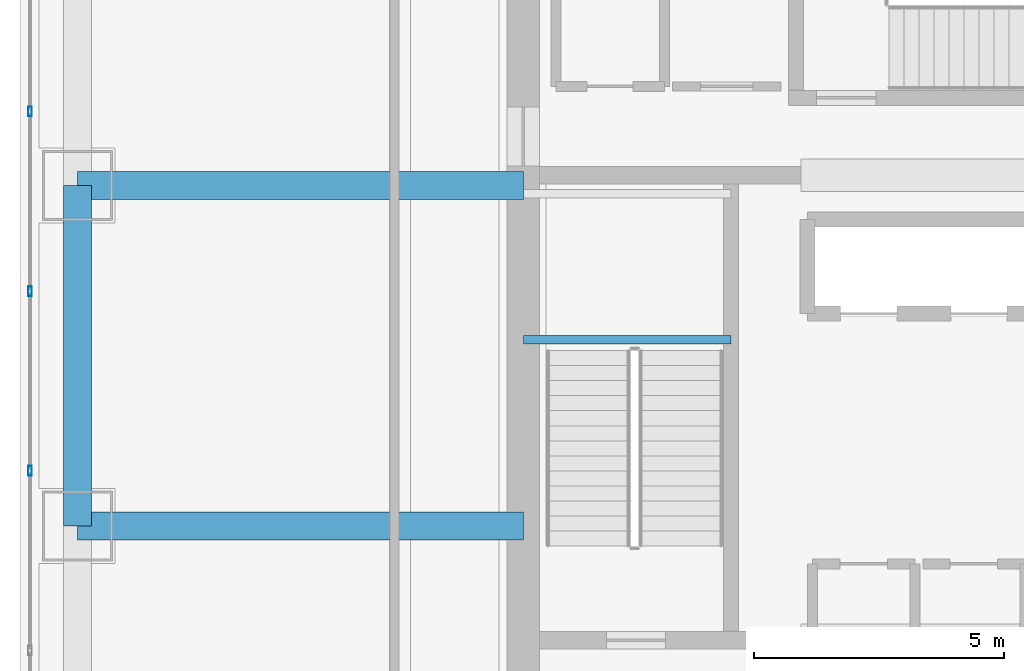
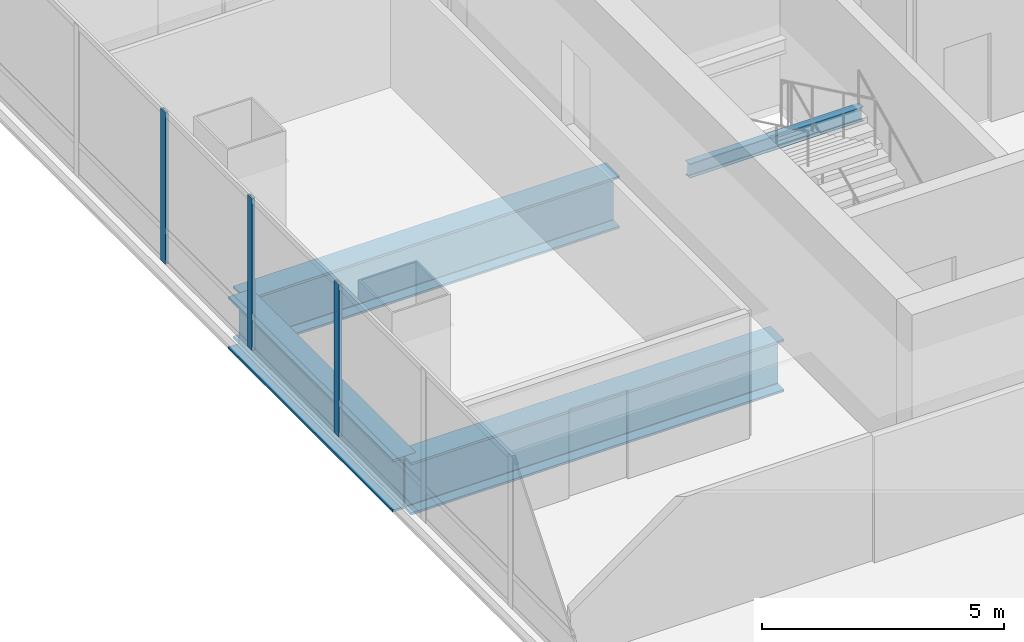
# One storey, part 9 of 41: 4 beams, 3 members, 1 element without a shape of its own.
"""IFC4 building model written with IfcOpenShell, lengths in metres."""

from ifc_helpers import new_model, si_unit, direction, frame, origin, origin_2d, place, context, subcontext, project, spatial, hollow_rectangle, i_section, extrude, material, material_profile, profile_set, type_object, element, aggregate, save


model = new_model("IFC4")

# Units and contexts
model_context = context("Model", 3, precision=1e-05, world=origin(), true_north=direction((0.0, 1.0)))
body_context = subcontext(model_context, "Body", "Model", "MODEL_VIEW")
ifc_project = project(units=[si_unit("LENGTHUNIT", "METRE"), si_unit("AREAUNIT", "SQUARE_METRE"), si_unit("VOLUMEUNIT", "CUBIC_METRE"), si_unit("PLANEANGLEUNIT", "RADIAN"), si_unit("MASSUNIT", "GRAM", prefix="KILO")], contexts=[model_context])

# Site, building, storey
site_placement = place(None, origin())
site = spatial("IfcSite", under=ifc_project, at=site_placement, CompositionType="ELEMENT")
building_placement = place(site_placement, origin())
building = spatial("IfcBuilding", under=site, at=building_placement, Name="Punatoya Terracotta Tower", CompositionType="ELEMENT")
storey_placement = place(building_placement, frame((0.0, 0.0, 220.800048828125)))
storey = spatial("IfcBuildingStorey", under=building, at=storey_placement, Name="L52", CompositionType="ELEMENT", Elevation=220.800048828125)

# Beams
ifc_material_1 = material(Name="Steel S355", Category="steel")
ifc_material_profile_1 = material_profile(ifc_material_1, i_section(OverallWidth=0.169921875, OverallDepth=0.360107421875, WebThickness=0.008056640625, FlangeThickness=0.0126953125, FilletRadius=0.01806640625, at=origin_2d()))
ifc_profile_set_1 = profile_set([ifc_material_profile_1], Name="Steel S355")
beam_type_1 = type_object("IfcBeamType", Name="BM-SEC-360", PredefinedType="JOIST", material=ifc_profile_set_1)
beam_1_placement = place(storey_placement, frame((-10.199951171875, 0.320068359375, 1.64501953125), z_axis=(1.0, 0.0, 0.0), x_axis=(0.0, 1.0, 0.0)))
element("IfcBeam", 1, at=beam_1_placement, inside=storey, type_object=beam_type_1, Name="BM-L52-ST-1-LD1A", PredefinedType="JOIST", context=body_context, shape_type="SweptSolid", body=[
    extrude(i_section(OverallWidth=0.169921875, OverallDepth=0.360107421875, WebThickness=0.008056640625, FlangeThickness=0.0126953125, FilletRadius=0.01806640625, at=origin_2d()), origin(), (0.0, 0.0, 1.0), 4.14990234375),
])
ifc_material_2 = material(Name="Steel S460", Category="steel")
ifc_material_profile_2 = material_profile(ifc_material_2, i_section(OverallWidth=0.56005859375, OverallDepth=1.320068359375, WebThickness=0.035888671875, FlangeThickness=0.054931640625, FilletRadius=0.01806640625, at=origin_2d()))
ifc_profile_set_2 = profile_set([ifc_material_profile_2], Name="Steel S460")
beam_type_2 = type_object("IfcBeamType", Name="BM-TG-BLK", PredefinedType="BEAM", material=ifc_profile_set_2)
beam_2_placement = place(storey_placement, frame((-19.10009765625, -3.39990234375, -0.880126953125), z_axis=(0.0, 1.0, 0.0), x_axis=(-1.0, 0.0, 0.0)))
element("IfcBeam", 2, at=beam_2_placement, inside=storey, type_object=beam_type_2, Name="BM-L52-RG-W2", PredefinedType="BEAM", context=body_context, shape_type="SweptSolid", body=[
    extrude(i_section(OverallWidth=0.56005859375, OverallDepth=1.320068359375, WebThickness=0.035888671875, FlangeThickness=0.054931640625, FilletRadius=0.01806640625, at=origin_2d()), origin(), (0.0, 0.0, 1.0), 6.7998046875),
])
for number, where, z_axis, x_axis, name in (
    (3, (-19.10009765625, -3.39990234375, -0.880126953125), (1.0, 0.0, 0.0), (0.0, 1.0, 0.0), "BM-L52-PR-WD"),
    (4, (-19.10009765625, 3.39990234375, -0.880126953125), (1.0, 0.0, 0.0), (0.0, 1.0, 0.0), "BM-L52-PR-WE"),
):
    element("IfcBeam", number, at=place(storey_placement, frame(where, z_axis=z_axis, x_axis=x_axis)), inside=storey, type_object=beam_type_2, Name=name, PredefinedType="BEAM", context=body_context, shape_type="SweptSolid", body=[
        extrude(i_section(OverallWidth=0.56005859375, OverallDepth=1.320068359375, WebThickness=0.035888671875, FlangeThickness=0.054931640625, FilletRadius=0.01806640625, at=origin_2d()), origin(), (0.0, 0.0, 1.0), 8.900146484375),
    ])

# Curtain wall, members
ifc_material_3 = material(Name="Aluminium 6063-T6 + Double Low-E Glass", Category="aluminium")
curtain_wall_type = type_object("IfcCurtainWallType", Name="CW-M2", PredefinedType="NOTDEFINED", material=ifc_material_3)
curtain_wall_placement = place(storey_placement, origin())
curtain_wall = element("IfcCurtainWall", 5, at=curtain_wall_placement, inside=storey, type_object=curtain_wall_type, Name="L52 Curtain Wall CW-L52-W11-1", PredefinedType="NOTDEFINED")
ifc_material_4 = material(Name="Aluminium 6063-T6", Category="aluminium")
ifc_material_profile_3 = material_profile(ifc_material_4, hollow_rectangle(XDim=0.072021484375, YDim=0.195068359375, WallThickness=0.00439453125, at=origin_2d()))
ifc_profile_set_3 = profile_set([ifc_material_profile_3], Name="Aluminium 6063-T6")
member_type = type_object("IfcMemberType", Name="CW-MUL-M2", PredefinedType="MULLION", material=ifc_profile_set_3)
member_1_placement = place(storey_placement, frame((-20.050048828125, 4.875, 0.0), z_axis=(0.0, 0.0, 1.0), x_axis=(1.0, 0.0, 0.0)))
member_1 = element("IfcMember", 6, at=member_1_placement, type_object=member_type, Name="CW-L52-W11-1 Mullion 02", PredefinedType="MULLION", context=body_context, shape_type="SweptSolid", body=[
    extrude(hollow_rectangle(XDim=0.072021484375, YDim=0.195068359375, WallThickness=0.00439453125, at=origin_2d()), origin(), (0.0, 0.0, 1.0), 3.829833984375),
])
member_2_placement = place(storey_placement, frame((-20.050048828125, 1.28759765625, 0.0), z_axis=(0.0, 0.0, 1.0), x_axis=(1.0, 0.0, 0.0)))
member_2 = element("IfcMember", 7, at=member_2_placement, type_object=member_type, Name="CW-L52-W11-1 Mullion 03", PredefinedType="MULLION", context=body_context, shape_type="SweptSolid", body=[
    extrude(hollow_rectangle(XDim=0.072021484375, YDim=0.195068359375, WallThickness=0.00439453125, at=origin_2d()), origin(), (0.0, 0.0, 1.0), 3.829833984375),
])
member_3_placement = place(storey_placement, frame((-20.050048828125, -2.2998046875, 0.0), z_axis=(0.0, 0.0, 1.0), x_axis=(1.0, 0.0, 0.0)))
member_3 = element("IfcMember", 8, at=member_3_placement, type_object=member_type, Name="CW-L52-W11-1 Mullion 04", PredefinedType="MULLION", context=body_context, shape_type="SweptSolid", body=[
    extrude(hollow_rectangle(XDim=0.072021484375, YDim=0.195068359375, WallThickness=0.00439453125, at=origin_2d()), origin(), (0.0, 0.0, 1.0), 3.829833984375),
])
aggregate(curtain_wall, [member_1, member_2, member_3])

save(model, "model.ifc")
